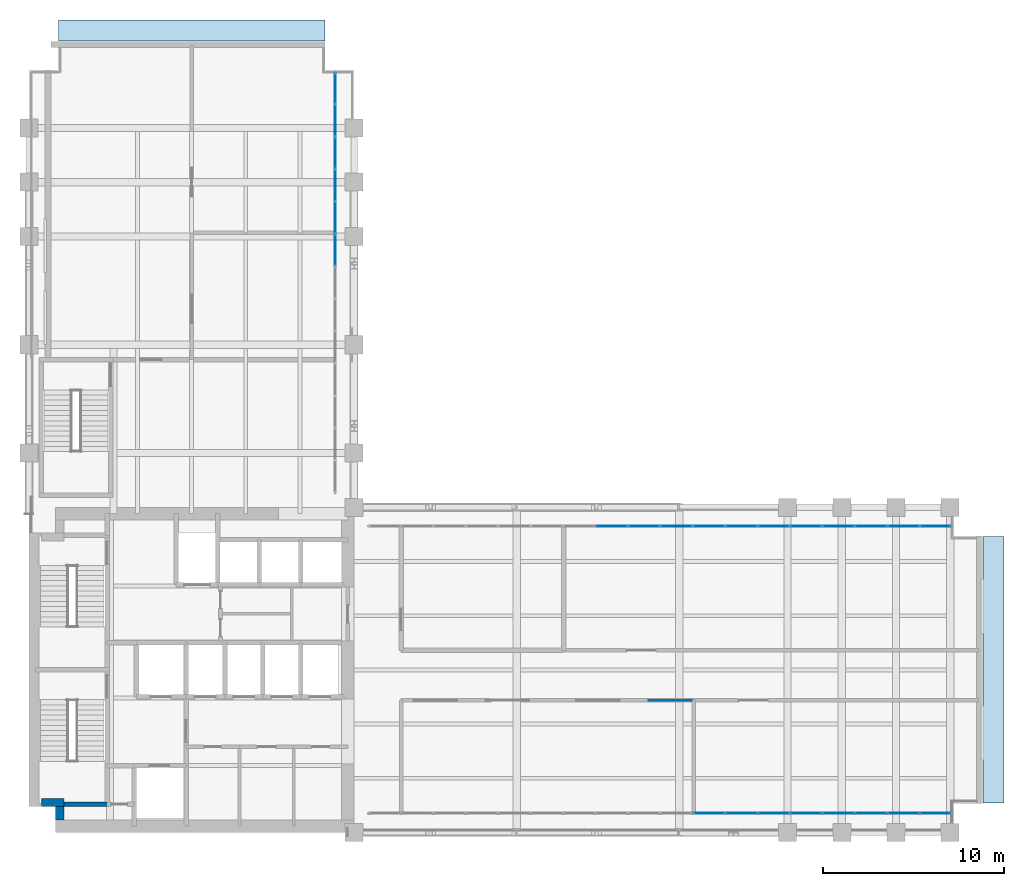
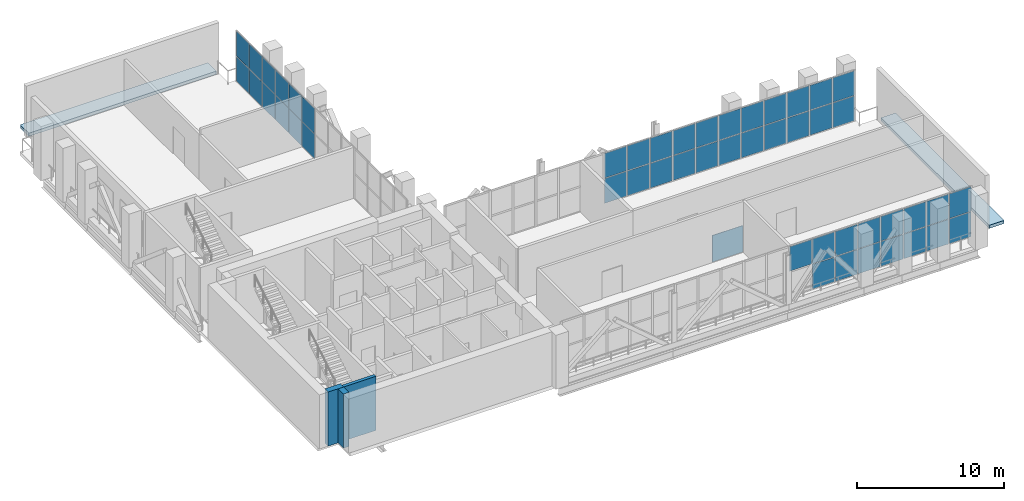
# One storey, part 22 of 27: 50 plates, 3 walls, 2 slabs, 3 elements without a shape of their own.
"""IFC4 building model written with IfcOpenShell, lengths in metres."""

from ifc_helpers import new_model, si_unit, direction, frame, frame_2d, origin, origin_2d, place, context, subcontext, project, spatial, polyline, rectangle, outline, extrude, material, layer, layer_set, type_object, element, aggregate, save


model = new_model("IFC4")

# Units and contexts
model_context = context("Model", 3, precision=1e-05, world=origin(), true_north=direction((0.0, 1.0)))
body_context = subcontext(model_context, "Body", "Model", "MODEL_VIEW")
ifc_project = project(units=[si_unit("LENGTHUNIT", "METRE"), si_unit("AREAUNIT", "SQUARE_METRE"), si_unit("VOLUMEUNIT", "CUBIC_METRE"), si_unit("PLANEANGLEUNIT", "RADIAN"), si_unit("MASSUNIT", "GRAM", prefix="KILO")], contexts=[model_context])

# Site, building, storey
site_placement = place(None, origin())
site = spatial("IfcSite", under=ifc_project, at=site_placement, CompositionType="ELEMENT")
building_placement = place(site_placement, origin())
building = spatial("IfcBuilding", under=site, at=building_placement, Name="Mawjdan Bourse Tower", CompositionType="ELEMENT")
storey_placement = place(building_placement, frame((0.0, 0.0, 155.699951171875)))
storey = spatial("IfcBuildingStorey", under=building, at=storey_placement, Name="L37", CompositionType="ELEMENT", Elevation=155.699951171875)

# Plate
ifc_material_1 = material(Name="Perforated Acoustic Aluminium Sheet", Category="aluminium")
ifc_layer_1 = layer(ifc_material_1, 0.044921875)
ifc_layer_set_1 = layer_set([ifc_layer_1], Name="Perforated Acoustic Aluminium Sheet")
plate_type_1 = type_object("IfcPlateType", Name="PLT-SCR-2400", PredefinedType="SHEET", material=ifc_layer_set_1)
plate_1_placement = place(storey_placement, frame((41.5, 10.300048828125, 0.0), z_axis=(0.0, 0.0, 1.0), x_axis=(1.0, 0.0, 0.0)))
element("IfcPlate", 1, at=plate_1_placement, inside=storey, type_object=plate_type_1, Name="L37 Acoustic Plant Plenum Screen 4", PredefinedType="SHEET", context=body_context, shape_type="SweptSolid", body=[
    extrude(rectangle(XDim=2.39990234375, YDim=0.044921875, at=origin_2d()), origin(), (0.0, 0.0, 1.0), 2.199951171875),
])

# Curtain wall, plates
ifc_material_2 = material(Name="Thermally Broken Aluminium and Solar Glass", Category="aluminium")
ifc_layer_2 = layer(ifc_material_2, 0.219970703125)
ifc_layer_set_2 = layer_set([ifc_layer_2], Name="Thermally Broken Aluminium and Solar Glass")
curtain_wall_type = type_object("IfcCurtainWallType", Name="CW-RFG", PredefinedType="USERDEFINED", material=ifc_layer_set_2)
curtain_wall_1_placement = place(storey_placement, origin())
curtain_wall_1 = element("IfcCurtainWall", 2, at=curtain_wall_1_placement, inside=storey, type_object=curtain_wall_type, Name="L37 Refuge Band South Louvre Curtain Wall", ObjectType="REFUGE BAND LOUVRE SCREEN", PredefinedType="USERDEFINED")
ifc_material_3 = material(Name="Anodised Sand-Trap Aluminium Louvre", Category="aluminium")
ifc_layer_3 = layer(ifc_material_3, 0.050048828125)
ifc_layer_set_3 = layer_set([ifc_layer_3], Name="Anodised Sand-Trap Aluminium Louvre")
plate_type_2 = type_object("IfcPlateType", Name="PNL-CW-RFG", PredefinedType="CURTAIN_PANEL", material=ifc_layer_set_3)
plate_2_placement = place(storey_placement, frame((43.6416015625, 4.050048828125, 2.152587890625), z_axis=(0.0, 0.0, 1.0), x_axis=(1.0, 0.0, 0.0)))
plate_2 = element("IfcPlate", 3, at=plate_2_placement, type_object=plate_type_2, Name="CW-RFG-L37-RFG-S panel 11.2", PredefinedType="CURTAIN_PANEL", context=body_context, shape_type="SweptSolid", body=[
    extrude(rectangle(XDim=1.7294921875, YDim=0.050048828125, at=origin_2d()), origin(), (0.0, 0.0, 1.0), 2.04248046875),
])
plate_3_placement = place(storey_placement, frame((45.43603515625, 4.050048828125, 0.05517578125), z_axis=(0.0, 0.0, 1.0), x_axis=(1.0, 0.0, 0.0)))
plate_3 = element("IfcPlate", 4, at=plate_3_placement, type_object=plate_type_2, Name="CW-RFG-L37-RFG-S panel 12.1", PredefinedType="CURTAIN_PANEL", context=body_context, shape_type="SweptSolid", body=[
    extrude(rectangle(XDim=1.7294921875, YDim=0.050048828125, at=origin_2d()), origin(), (0.0, 0.0, 1.0), 2.04248046875),
])
plate_4_placement = place(storey_placement, frame((45.43603515625, 4.050048828125, 2.152587890625), z_axis=(0.0, 0.0, 1.0), x_axis=(1.0, 0.0, 0.0)))
plate_4 = element("IfcPlate", 5, at=plate_4_placement, type_object=plate_type_2, Name="CW-RFG-L37-RFG-S panel 12.2", PredefinedType="CURTAIN_PANEL", context=body_context, shape_type="SweptSolid", body=[
    extrude(rectangle(XDim=1.7294921875, YDim=0.050048828125, at=origin_2d()), origin(), (0.0, 0.0, 1.0), 2.04248046875),
])
plate_5_placement = place(storey_placement, frame((47.23046875, 4.050048828125, 0.05517578125), z_axis=(0.0, 0.0, 1.0), x_axis=(1.0, 0.0, 0.0)))
plate_5 = element("IfcPlate", 6, at=plate_5_placement, type_object=plate_type_2, Name="CW-RFG-L37-RFG-S panel 13.1", PredefinedType="CURTAIN_PANEL", context=body_context, shape_type="SweptSolid", body=[
    extrude(rectangle(XDim=1.7294921875, YDim=0.050048828125, at=origin_2d()), origin(), (0.0, 0.0, 1.0), 2.04248046875),
])
plate_6_placement = place(storey_placement, frame((47.23046875, 4.050048828125, 2.152587890625), z_axis=(0.0, 0.0, 1.0), x_axis=(1.0, 0.0, 0.0)))
plate_6 = element("IfcPlate", 7, at=plate_6_placement, type_object=plate_type_2, Name="CW-RFG-L37-RFG-S panel 13.2", PredefinedType="CURTAIN_PANEL", context=body_context, shape_type="SweptSolid", body=[
    extrude(rectangle(XDim=1.7294921875, YDim=0.050048828125, at=origin_2d()), origin(), (0.0, 0.0, 1.0), 2.04248046875),
])
plate_7_placement = place(storey_placement, frame((49.02490234375, 4.050048828125, 0.05517578125), z_axis=(0.0, 0.0, 1.0), x_axis=(1.0, 0.0, 0.0)))
plate_7 = element("IfcPlate", 8, at=plate_7_placement, type_object=plate_type_2, Name="CW-RFG-L37-RFG-S panel 14.1", PredefinedType="CURTAIN_PANEL", context=body_context, shape_type="SweptSolid", body=[
    extrude(rectangle(XDim=1.7294921875, YDim=0.050048828125, at=origin_2d()), origin(), (0.0, 0.0, 1.0), 2.04248046875),
])
plate_8_placement = place(storey_placement, frame((49.02490234375, 4.050048828125, 2.152587890625), z_axis=(0.0, 0.0, 1.0), x_axis=(1.0, 0.0, 0.0)))
plate_8 = element("IfcPlate", 9, at=plate_8_placement, type_object=plate_type_2, Name="CW-RFG-L37-RFG-S panel 14.2", PredefinedType="CURTAIN_PANEL", context=body_context, shape_type="SweptSolid", body=[
    extrude(rectangle(XDim=1.7294921875, YDim=0.050048828125, at=origin_2d()), origin(), (0.0, 0.0, 1.0), 2.04248046875),
])
plate_9_placement = place(storey_placement, frame((50.8193359375, 4.050048828125, 0.05517578125), z_axis=(0.0, 0.0, 1.0), x_axis=(1.0, 0.0, 0.0)))
plate_9 = element("IfcPlate", 10, at=plate_9_placement, type_object=plate_type_2, Name="CW-RFG-L37-RFG-S panel 15.1", PredefinedType="CURTAIN_PANEL", context=body_context, shape_type="SweptSolid", body=[
    extrude(rectangle(XDim=1.7294921875, YDim=0.050048828125, at=origin_2d()), origin(), (0.0, 0.0, 1.0), 2.04248046875),
])
plate_10_placement = place(storey_placement, frame((50.8193359375, 4.050048828125, 2.152587890625), z_axis=(0.0, 0.0, 1.0), x_axis=(1.0, 0.0, 0.0)))
plate_10 = element("IfcPlate", 11, at=plate_10_placement, type_object=plate_type_2, Name="CW-RFG-L37-RFG-S panel 15.2", PredefinedType="CURTAIN_PANEL", context=body_context, shape_type="SweptSolid", body=[
    extrude(rectangle(XDim=1.7294921875, YDim=0.050048828125, at=origin_2d()), origin(), (0.0, 0.0, 1.0), 2.04248046875),
])
plate_11_placement = place(storey_placement, frame((52.61376953125, 4.050048828125, 0.05517578125), z_axis=(0.0, 0.0, 1.0), x_axis=(1.0, 0.0, 0.0)))
plate_11 = element("IfcPlate", 12, at=plate_11_placement, type_object=plate_type_2, Name="CW-RFG-L37-RFG-S panel 16.1", PredefinedType="CURTAIN_PANEL", context=body_context, shape_type="SweptSolid", body=[
    extrude(rectangle(XDim=1.7294921875, YDim=0.050048828125, at=origin_2d()), origin(), (0.0, 0.0, 1.0), 2.04248046875),
])
plate_12_placement = place(storey_placement, frame((52.61376953125, 4.050048828125, 2.152587890625), z_axis=(0.0, 0.0, 1.0), x_axis=(1.0, 0.0, 0.0)))
plate_12 = element("IfcPlate", 13, at=plate_12_placement, type_object=plate_type_2, Name="CW-RFG-L37-RFG-S panel 16.2", PredefinedType="CURTAIN_PANEL", context=body_context, shape_type="SweptSolid", body=[
    extrude(rectangle(XDim=1.7294921875, YDim=0.050048828125, at=origin_2d()), origin(), (0.0, 0.0, 1.0), 2.04248046875),
])
plate_13_placement = place(storey_placement, frame((54.408447265625, 4.050048828125, 0.05517578125), z_axis=(0.0, 0.0, 1.0), x_axis=(1.0, 0.0, 0.0)))
plate_13 = element("IfcPlate", 14, at=plate_13_placement, type_object=plate_type_2, Name="CW-RFG-L37-RFG-S panel 17.1", PredefinedType="CURTAIN_PANEL", context=body_context, shape_type="SweptSolid", body=[
    extrude(rectangle(XDim=1.7294921875, YDim=0.050048828125, at=origin_2d()), origin(), (0.0, 0.0, 1.0), 2.04248046875),
])
plate_14_placement = place(storey_placement, frame((54.408447265625, 4.050048828125, 2.152587890625), z_axis=(0.0, 0.0, 1.0), x_axis=(1.0, 0.0, 0.0)))
plate_14 = element("IfcPlate", 15, at=plate_14_placement, type_object=plate_type_2, Name="CW-RFG-L37-RFG-S panel 17.2", PredefinedType="CURTAIN_PANEL", context=body_context, shape_type="SweptSolid", body=[
    extrude(rectangle(XDim=1.7294921875, YDim=0.050048828125, at=origin_2d()), origin(), (0.0, 0.0, 1.0), 2.04248046875),
])
plate_15_placement = place(storey_placement, frame((56.1865234375, 4.050048828125, 0.05517578125), z_axis=(0.0, 0.0, 1.0), x_axis=(1.0, 0.0, 0.0)))
plate_15 = element("IfcPlate", 16, at=plate_15_placement, type_object=plate_type_2, Name="CW-RFG-L37-RFG-S panel 18.1", PredefinedType="CURTAIN_PANEL", context=body_context, shape_type="SweptSolid", body=[
    extrude(rectangle(XDim=1.697021484375, YDim=0.050048828125, at=origin_2d()), origin(), (0.0, 0.0, 1.0), 2.04248046875),
])
plate_16_placement = place(storey_placement, frame((56.1865234375, 4.050048828125, 2.152587890625), z_axis=(0.0, 0.0, 1.0), x_axis=(1.0, 0.0, 0.0)))
plate_16 = element("IfcPlate", 17, at=plate_16_placement, type_object=plate_type_2, Name="CW-RFG-L37-RFG-S panel 18.2", PredefinedType="CURTAIN_PANEL", context=body_context, shape_type="SweptSolid", body=[
    extrude(rectangle(XDim=1.697021484375, YDim=0.050048828125, at=origin_2d()), origin(), (0.0, 0.0, 1.0), 2.04248046875),
])
aggregate(curtain_wall_1, [plate_2, plate_3, plate_4, plate_5, plate_6, plate_7, plate_8, plate_9, plate_10, plate_11, plate_12, plate_13, plate_14, plate_15, plate_16])

curtain_wall_2_placement = place(storey_placement, origin())
curtain_wall_2 = element("IfcCurtainWall", 18, at=curtain_wall_2_placement, inside=storey, type_object=curtain_wall_type, Name="L37 Refuge Band North Louvre Curtain Wall", ObjectType="REFUGE BAND LOUVRE SCREEN", PredefinedType="USERDEFINED")
plate_17_placement = place(storey_placement, frame((56.1865234375, 19.949951171875, 0.05517578125), z_axis=(0.0, 0.0, 1.0), x_axis=(-1.0, 0.0, 0.0)))
plate_17 = element("IfcPlate", 19, at=plate_17_placement, type_object=plate_type_2, Name="CW-RFG-L37-RFG-N panel 1.1", PredefinedType="CURTAIN_PANEL", context=body_context, shape_type="SweptSolid", body=[
    extrude(rectangle(XDim=1.697021484375, YDim=0.050048828125, at=origin_2d()), origin(), (0.0, 0.0, 1.0), 2.04248046875),
])
plate_18_placement = place(storey_placement, frame((56.1865234375, 19.949951171875, 2.152587890625), z_axis=(0.0, 0.0, 1.0), x_axis=(-1.0, 0.0, 0.0)))
plate_18 = element("IfcPlate", 20, at=plate_18_placement, type_object=plate_type_2, Name="CW-RFG-L37-RFG-N panel 1.2", PredefinedType="CURTAIN_PANEL", context=body_context, shape_type="SweptSolid", body=[
    extrude(rectangle(XDim=1.697021484375, YDim=0.050048828125, at=origin_2d()), origin(), (0.0, 0.0, 1.0), 2.04248046875),
])
plate_19_placement = place(storey_placement, frame((54.408447265625, 19.949951171875, 0.05517578125), z_axis=(0.0, 0.0, 1.0), x_axis=(-1.0, 0.0, 0.0)))
plate_19 = element("IfcPlate", 21, at=plate_19_placement, type_object=plate_type_2, Name="CW-RFG-L37-RFG-N panel 2.1", PredefinedType="CURTAIN_PANEL", context=body_context, shape_type="SweptSolid", body=[
    extrude(rectangle(XDim=1.7294921875, YDim=0.050048828125, at=origin_2d()), origin(), (0.0, 0.0, 1.0), 2.04248046875),
])
plate_20_placement = place(storey_placement, frame((54.408447265625, 19.949951171875, 2.152587890625), z_axis=(0.0, 0.0, 1.0), x_axis=(-1.0, 0.0, 0.0)))
plate_20 = element("IfcPlate", 22, at=plate_20_placement, type_object=plate_type_2, Name="CW-RFG-L37-RFG-N panel 2.2", PredefinedType="CURTAIN_PANEL", context=body_context, shape_type="SweptSolid", body=[
    extrude(rectangle(XDim=1.7294921875, YDim=0.050048828125, at=origin_2d()), origin(), (0.0, 0.0, 1.0), 2.04248046875),
])
plate_21_placement = place(storey_placement, frame((52.61376953125, 19.949951171875, 0.05517578125), z_axis=(0.0, 0.0, 1.0), x_axis=(-1.0, 0.0, 0.0)))
plate_21 = element("IfcPlate", 23, at=plate_21_placement, type_object=plate_type_2, Name="CW-RFG-L37-RFG-N panel 3.1", PredefinedType="CURTAIN_PANEL", context=body_context, shape_type="SweptSolid", body=[
    extrude(rectangle(XDim=1.7294921875, YDim=0.050048828125, at=origin_2d()), origin(), (0.0, 0.0, 1.0), 2.04248046875),
])
plate_22_placement = place(storey_placement, frame((52.61376953125, 19.949951171875, 2.152587890625), z_axis=(0.0, 0.0, 1.0), x_axis=(-1.0, 0.0, 0.0)))
plate_22 = element("IfcPlate", 24, at=plate_22_placement, type_object=plate_type_2, Name="CW-RFG-L37-RFG-N panel 3.2", PredefinedType="CURTAIN_PANEL", context=body_context, shape_type="SweptSolid", body=[
    extrude(rectangle(XDim=1.7294921875, YDim=0.050048828125, at=origin_2d()), origin(), (0.0, 0.0, 1.0), 2.04248046875),
])
plate_23_placement = place(storey_placement, frame((50.8193359375, 19.949951171875, 0.05517578125), z_axis=(0.0, 0.0, 1.0), x_axis=(-1.0, 0.0, 0.0)))
plate_23 = element("IfcPlate", 25, at=plate_23_placement, type_object=plate_type_2, Name="CW-RFG-L37-RFG-N panel 4.1", PredefinedType="CURTAIN_PANEL", context=body_context, shape_type="SweptSolid", body=[
    extrude(rectangle(XDim=1.7294921875, YDim=0.050048828125, at=origin_2d()), origin(), (0.0, 0.0, 1.0), 2.04248046875),
])
plate_24_placement = place(storey_placement, frame((50.8193359375, 19.949951171875, 2.152587890625), z_axis=(0.0, 0.0, 1.0), x_axis=(-1.0, 0.0, 0.0)))
plate_24 = element("IfcPlate", 26, at=plate_24_placement, type_object=plate_type_2, Name="CW-RFG-L37-RFG-N panel 4.2", PredefinedType="CURTAIN_PANEL", context=body_context, shape_type="SweptSolid", body=[
    extrude(rectangle(XDim=1.7294921875, YDim=0.050048828125, at=origin_2d()), origin(), (0.0, 0.0, 1.0), 2.04248046875),
])
plate_25_placement = place(storey_placement, frame((49.02490234375, 19.949951171875, 0.05517578125), z_axis=(0.0, 0.0, 1.0), x_axis=(-1.0, 0.0, 0.0)))
plate_25 = element("IfcPlate", 27, at=plate_25_placement, type_object=plate_type_2, Name="CW-RFG-L37-RFG-N panel 5.1", PredefinedType="CURTAIN_PANEL", context=body_context, shape_type="SweptSolid", body=[
    extrude(rectangle(XDim=1.7294921875, YDim=0.050048828125, at=origin_2d()), origin(), (0.0, 0.0, 1.0), 2.04248046875),
])
plate_26_placement = place(storey_placement, frame((49.02490234375, 19.949951171875, 2.152587890625), z_axis=(0.0, 0.0, 1.0), x_axis=(-1.0, 0.0, 0.0)))
plate_26 = element("IfcPlate", 28, at=plate_26_placement, type_object=plate_type_2, Name="CW-RFG-L37-RFG-N panel 5.2", PredefinedType="CURTAIN_PANEL", context=body_context, shape_type="SweptSolid", body=[
    extrude(rectangle(XDim=1.7294921875, YDim=0.050048828125, at=origin_2d()), origin(), (0.0, 0.0, 1.0), 2.04248046875),
])
plate_27_placement = place(storey_placement, frame((47.23046875, 19.949951171875, 0.05517578125), z_axis=(0.0, 0.0, 1.0), x_axis=(-1.0, 0.0, 0.0)))
plate_27 = element("IfcPlate", 29, at=plate_27_placement, type_object=plate_type_2, Name="CW-RFG-L37-RFG-N panel 6.1", PredefinedType="CURTAIN_PANEL", context=body_context, shape_type="SweptSolid", body=[
    extrude(rectangle(XDim=1.7294921875, YDim=0.050048828125, at=origin_2d()), origin(), (0.0, 0.0, 1.0), 2.04248046875),
])
plate_28_placement = place(storey_placement, frame((47.23046875, 19.949951171875, 2.152587890625), z_axis=(0.0, 0.0, 1.0), x_axis=(-1.0, 0.0, 0.0)))
plate_28 = element("IfcPlate", 30, at=plate_28_placement, type_object=plate_type_2, Name="CW-RFG-L37-RFG-N panel 6.2", PredefinedType="CURTAIN_PANEL", context=body_context, shape_type="SweptSolid", body=[
    extrude(rectangle(XDim=1.7294921875, YDim=0.050048828125, at=origin_2d()), origin(), (0.0, 0.0, 1.0), 2.04248046875),
])
plate_29_placement = place(storey_placement, frame((45.43603515625, 19.949951171875, 0.05517578125), z_axis=(0.0, 0.0, 1.0), x_axis=(-1.0, 0.0, 0.0)))
plate_29 = element("IfcPlate", 31, at=plate_29_placement, type_object=plate_type_2, Name="CW-RFG-L37-RFG-N panel 7.1", PredefinedType="CURTAIN_PANEL", context=body_context, shape_type="SweptSolid", body=[
    extrude(rectangle(XDim=1.7294921875, YDim=0.050048828125, at=origin_2d()), origin(), (0.0, 0.0, 1.0), 2.04248046875),
])
plate_30_placement = place(storey_placement, frame((45.43603515625, 19.949951171875, 2.152587890625), z_axis=(0.0, 0.0, 1.0), x_axis=(-1.0, 0.0, 0.0)))
plate_30 = element("IfcPlate", 32, at=plate_30_placement, type_object=plate_type_2, Name="CW-RFG-L37-RFG-N panel 7.2", PredefinedType="CURTAIN_PANEL", context=body_context, shape_type="SweptSolid", body=[
    extrude(rectangle(XDim=1.7294921875, YDim=0.050048828125, at=origin_2d()), origin(), (0.0, 0.0, 1.0), 2.04248046875),
])
plate_31_placement = place(storey_placement, frame((43.6416015625, 19.949951171875, 0.05517578125), z_axis=(0.0, 0.0, 1.0), x_axis=(-1.0, 0.0, 0.0)))
plate_31 = element("IfcPlate", 33, at=plate_31_placement, type_object=plate_type_2, Name="CW-RFG-L37-RFG-N panel 8.1", PredefinedType="CURTAIN_PANEL", context=body_context, shape_type="SweptSolid", body=[
    extrude(rectangle(XDim=1.7294921875, YDim=0.050048828125, at=origin_2d()), origin(), (0.0, 0.0, 1.0), 2.04248046875),
])
plate_32_placement = place(storey_placement, frame((43.6416015625, 19.949951171875, 2.152587890625), z_axis=(0.0, 0.0, 1.0), x_axis=(-1.0, 0.0, 0.0)))
plate_32 = element("IfcPlate", 34, at=plate_32_placement, type_object=plate_type_2, Name="CW-RFG-L37-RFG-N panel 8.2", PredefinedType="CURTAIN_PANEL", context=body_context, shape_type="SweptSolid", body=[
    extrude(rectangle(XDim=1.7294921875, YDim=0.050048828125, at=origin_2d()), origin(), (0.0, 0.0, 1.0), 2.04248046875),
])
plate_33_placement = place(storey_placement, frame((41.84716796875, 19.949951171875, 0.05517578125), z_axis=(0.0, 0.0, 1.0), x_axis=(-1.0, 0.0, 0.0)))
plate_33 = element("IfcPlate", 35, at=plate_33_placement, type_object=plate_type_2, Name="CW-RFG-L37-RFG-N panel 9.1", PredefinedType="CURTAIN_PANEL", context=body_context, shape_type="SweptSolid", body=[
    extrude(rectangle(XDim=1.7294921875, YDim=0.050048828125, at=origin_2d()), origin(), (0.0, 0.0, 1.0), 2.04248046875),
])
plate_34_placement = place(storey_placement, frame((41.84716796875, 19.949951171875, 2.152587890625), z_axis=(0.0, 0.0, 1.0), x_axis=(-1.0, 0.0, 0.0)))
plate_34 = element("IfcPlate", 36, at=plate_34_placement, type_object=plate_type_2, Name="CW-RFG-L37-RFG-N panel 9.2", PredefinedType="CURTAIN_PANEL", context=body_context, shape_type="SweptSolid", body=[
    extrude(rectangle(XDim=1.7294921875, YDim=0.050048828125, at=origin_2d()), origin(), (0.0, 0.0, 1.0), 2.04248046875),
])
plate_35_placement = place(storey_placement, frame((40.052734375, 19.949951171875, 0.05517578125), z_axis=(0.0, 0.0, 1.0), x_axis=(-1.0, 0.0, 0.0)))
plate_35 = element("IfcPlate", 37, at=plate_35_placement, type_object=plate_type_2, Name="CW-RFG-L37-RFG-N panel 10.1", PredefinedType="CURTAIN_PANEL", context=body_context, shape_type="SweptSolid", body=[
    extrude(rectangle(XDim=1.7294921875, YDim=0.050048828125, at=origin_2d()), origin(), (0.0, 0.0, 1.0), 2.04248046875),
])
plate_36_placement = place(storey_placement, frame((40.052734375, 19.949951171875, 2.152587890625), z_axis=(0.0, 0.0, 1.0), x_axis=(-1.0, 0.0, 0.0)))
plate_36 = element("IfcPlate", 38, at=plate_36_placement, type_object=plate_type_2, Name="CW-RFG-L37-RFG-N panel 10.2", PredefinedType="CURTAIN_PANEL", context=body_context, shape_type="SweptSolid", body=[
    extrude(rectangle(XDim=1.7294921875, YDim=0.050048828125, at=origin_2d()), origin(), (0.0, 0.0, 1.0), 2.04248046875),
])
plate_37_placement = place(storey_placement, frame((38.25830078125, 19.949951171875, 0.05517578125), z_axis=(0.0, 0.0, 1.0), x_axis=(-1.0, 0.0, 0.0)))
plate_37 = element("IfcPlate", 39, at=plate_37_placement, type_object=plate_type_2, Name="CW-RFG-L37-RFG-N panel 11.1", PredefinedType="CURTAIN_PANEL", context=body_context, shape_type="SweptSolid", body=[
    extrude(rectangle(XDim=1.7294921875, YDim=0.050048828125, at=origin_2d()), origin(), (0.0, 0.0, 1.0), 2.04248046875),
])
plate_38_placement = place(storey_placement, frame((38.25830078125, 19.949951171875, 2.152587890625), z_axis=(0.0, 0.0, 1.0), x_axis=(-1.0, 0.0, 0.0)))
plate_38 = element("IfcPlate", 40, at=plate_38_placement, type_object=plate_type_2, Name="CW-RFG-L37-RFG-N panel 11.2", PredefinedType="CURTAIN_PANEL", context=body_context, shape_type="SweptSolid", body=[
    extrude(rectangle(XDim=1.7294921875, YDim=0.050048828125, at=origin_2d()), origin(), (0.0, 0.0, 1.0), 2.04248046875),
])
aggregate(curtain_wall_2, [plate_17, plate_18, plate_19, plate_20, plate_21, plate_22, plate_23, plate_24, plate_25, plate_26, plate_27, plate_28, plate_29, plate_30, plate_31, plate_32, plate_33, plate_34, plate_35, plate_36, plate_37, plate_38])

curtain_wall_3_placement = place(storey_placement, origin())
curtain_wall_3 = element("IfcCurtainWall", 41, at=curtain_wall_3_placement, inside=storey, type_object=curtain_wall_type, Name="L37 Refuge Band North-Wing Louvre Curtain Wall", ObjectType="REFUGE BAND LOUVRE SCREEN", PredefinedType="USERDEFINED")
plate_39_placement = place(storey_placement, frame((22.949951171875, 35.2421875, 0.05517578125), z_axis=(0.0, 0.0, 1.0), x_axis=(0.0, 1.0, 0.0)))
plate_39 = element("IfcPlate", 42, at=plate_39_placement, type_object=plate_type_2, Name="CW-RFG-L37-RFG-W panel 8.1", PredefinedType="CURTAIN_PANEL", context=body_context, shape_type="SweptSolid", body=[
    extrude(rectangle(XDim=1.727294921875, YDim=0.050048828125, at=origin_2d()), origin(), (0.0, 0.0, 1.0), 2.04248046875),
])
plate_40_placement = place(storey_placement, frame((22.949951171875, 35.2421875, 2.152587890625), z_axis=(0.0, 0.0, 1.0), x_axis=(0.0, 1.0, 0.0)))
plate_40 = element("IfcPlate", 43, at=plate_40_placement, type_object=plate_type_2, Name="CW-RFG-L37-RFG-W panel 8.2", PredefinedType="CURTAIN_PANEL", context=body_context, shape_type="SweptSolid", body=[
    extrude(rectangle(XDim=1.727294921875, YDim=0.050048828125, at=origin_2d()), origin(), (0.0, 0.0, 1.0), 2.04248046875),
])
plate_41_placement = place(storey_placement, frame((22.949951171875, 37.03466796875, 0.05517578125), z_axis=(0.0, 0.0, 1.0), x_axis=(0.0, 1.0, 0.0)))
plate_41 = element("IfcPlate", 44, at=plate_41_placement, type_object=plate_type_2, Name="CW-RFG-L37-RFG-W panel 9.1", PredefinedType="CURTAIN_PANEL", context=body_context, shape_type="SweptSolid", body=[
    extrude(rectangle(XDim=1.727294921875, YDim=0.050048828125, at=origin_2d()), origin(), (0.0, 0.0, 1.0), 2.04248046875),
])
plate_42_placement = place(storey_placement, frame((22.949951171875, 37.03466796875, 2.152587890625), z_axis=(0.0, 0.0, 1.0), x_axis=(0.0, 1.0, 0.0)))
plate_42 = element("IfcPlate", 45, at=plate_42_placement, type_object=plate_type_2, Name="CW-RFG-L37-RFG-W panel 9.2", PredefinedType="CURTAIN_PANEL", context=body_context, shape_type="SweptSolid", body=[
    extrude(rectangle(XDim=1.727294921875, YDim=0.050048828125, at=origin_2d()), origin(), (0.0, 0.0, 1.0), 2.04248046875),
])
plate_43_placement = place(storey_placement, frame((22.949951171875, 38.826904296875, 0.05517578125), z_axis=(0.0, 0.0, 1.0), x_axis=(0.0, 1.0, 0.0)))
plate_43 = element("IfcPlate", 46, at=plate_43_placement, type_object=plate_type_2, Name="CW-RFG-L37-RFG-W panel 10.1", PredefinedType="CURTAIN_PANEL", context=body_context, shape_type="SweptSolid", body=[
    extrude(rectangle(XDim=1.727294921875, YDim=0.050048828125, at=origin_2d()), origin(), (0.0, 0.0, 1.0), 2.04248046875),
])
plate_44_placement = place(storey_placement, frame((22.949951171875, 38.826904296875, 2.152587890625), z_axis=(0.0, 0.0, 1.0), x_axis=(0.0, 1.0, 0.0)))
plate_44 = element("IfcPlate", 47, at=plate_44_placement, type_object=plate_type_2, Name="CW-RFG-L37-RFG-W panel 10.2", PredefinedType="CURTAIN_PANEL", context=body_context, shape_type="SweptSolid", body=[
    extrude(rectangle(XDim=1.727294921875, YDim=0.050048828125, at=origin_2d()), origin(), (0.0, 0.0, 1.0), 2.04248046875),
])
plate_45_placement = place(storey_placement, frame((22.949951171875, 40.619140625, 0.05517578125), z_axis=(0.0, 0.0, 1.0), x_axis=(0.0, 1.0, 0.0)))
plate_45 = element("IfcPlate", 48, at=plate_45_placement, type_object=plate_type_2, Name="CW-RFG-L37-RFG-W panel 11.1", PredefinedType="CURTAIN_PANEL", context=body_context, shape_type="SweptSolid", body=[
    extrude(rectangle(XDim=1.727294921875, YDim=0.050048828125, at=origin_2d()), origin(), (0.0, 0.0, 1.0), 2.04248046875),
])
plate_46_placement = place(storey_placement, frame((22.949951171875, 40.619140625, 2.152587890625), z_axis=(0.0, 0.0, 1.0), x_axis=(0.0, 1.0, 0.0)))
plate_46 = element("IfcPlate", 49, at=plate_46_placement, type_object=plate_type_2, Name="CW-RFG-L37-RFG-W panel 11.2", PredefinedType="CURTAIN_PANEL", context=body_context, shape_type="SweptSolid", body=[
    extrude(rectangle(XDim=1.727294921875, YDim=0.050048828125, at=origin_2d()), origin(), (0.0, 0.0, 1.0), 2.04248046875),
])
plate_47_placement = place(storey_placement, frame((22.949951171875, 42.41162109375, 0.05517578125), z_axis=(0.0, 0.0, 1.0), x_axis=(0.0, 1.0, 0.0)))
plate_47 = element("IfcPlate", 50, at=plate_47_placement, type_object=plate_type_2, Name="CW-RFG-L37-RFG-W panel 12.1", PredefinedType="CURTAIN_PANEL", context=body_context, shape_type="SweptSolid", body=[
    extrude(rectangle(XDim=1.727294921875, YDim=0.050048828125, at=origin_2d()), origin(), (0.0, 0.0, 1.0), 2.04248046875),
])
plate_48_placement = place(storey_placement, frame((22.949951171875, 42.41162109375, 2.152587890625), z_axis=(0.0, 0.0, 1.0), x_axis=(0.0, 1.0, 0.0)))
plate_48 = element("IfcPlate", 51, at=plate_48_placement, type_object=plate_type_2, Name="CW-RFG-L37-RFG-W panel 12.2", PredefinedType="CURTAIN_PANEL", context=body_context, shape_type="SweptSolid", body=[
    extrude(rectangle(XDim=1.727294921875, YDim=0.050048828125, at=origin_2d()), origin(), (0.0, 0.0, 1.0), 2.04248046875),
])
plate_49_placement = place(storey_placement, frame((22.949951171875, 44.1875, 0.05517578125), z_axis=(0.0, 0.0, 1.0), x_axis=(0.0, 1.0, 0.0)))
plate_49 = element("IfcPlate", 52, at=plate_49_placement, type_object=plate_type_2, Name="CW-RFG-L37-RFG-W panel 13.1", PredefinedType="CURTAIN_PANEL", context=body_context, shape_type="SweptSolid", body=[
    extrude(rectangle(XDim=1.69482421875, YDim=0.050048828125, at=origin_2d()), origin(), (0.0, 0.0, 1.0), 2.04248046875),
])
plate_50_placement = place(storey_placement, frame((22.949951171875, 44.1875, 2.152587890625), z_axis=(0.0, 0.0, 1.0), x_axis=(0.0, 1.0, 0.0)))
plate_50 = element("IfcPlate", 53, at=plate_50_placement, type_object=plate_type_2, Name="CW-RFG-L37-RFG-W panel 13.2", PredefinedType="CURTAIN_PANEL", context=body_context, shape_type="SweptSolid", body=[
    extrude(rectangle(XDim=1.69482421875, YDim=0.050048828125, at=origin_2d()), origin(), (0.0, 0.0, 1.0), 2.04248046875),
])
aggregate(curtain_wall_3, [plate_39, plate_40, plate_41, plate_42, plate_43, plate_44, plate_45, plate_46, plate_47, plate_48, plate_49, plate_50])

# Slabs
ifc_material_4 = material(Name="Concrete C50/60", Category="concrete")
ifc_layer_4 = layer(ifc_material_4, 0.260009765625)
ifc_layer_set_4 = layer_set([ifc_layer_4], Name="Concrete C50/60")
slab_type = type_object("IfcSlabType", Name="SL-ROOF-260", PredefinedType="ROOF", material=ifc_layer_set_4)
slab_1_placement = place(storey_placement, frame((0.0, 0.0, -0.260009765625)))
element("IfcSlab", 54, at=slab_1_placement, inside=storey, type_object=slab_type, Name="L37 Setback Weather Roof 1", PredefinedType="ROOF", context=body_context, shape_type="SweptSolid", body=[
    extrude(outline(polyline([(7.6201171875, 46.830078125), (7.6201171875, 46.827880859375), (7.620361328125, 46.826171875), (7.620849609375, 46.82421875), (7.62158203125, 46.822265625), (7.622314453125, 46.820556640625), (7.623291015625, 46.81884765625), (7.62451171875, 46.8173828125), (7.6259765625, 46.81591796875), (7.627197265625, 46.814453125), (7.62890625, 46.8134765625), (7.630615234375, 46.8125), (7.63232421875, 46.8115234375), (7.63427734375, 46.810791015625), (7.635986328125, 46.810302734375), (7.637939453125, 46.81005859375), (7.639892578125, 46.81005859375), (22.360107421875, 46.81005859375), (22.362060546875, 46.81005859375), (22.364013671875, 46.810302734375), (22.36572265625, 46.810791015625), (22.36767578125, 46.8115234375), (22.369384765625, 46.8125), (22.37109375, 46.8134765625), (22.372802734375, 46.814453125), (22.3740234375, 46.81591796875), (22.37548828125, 46.8173828125), (22.376708984375, 46.81884765625), (22.377685546875, 46.820556640625), (22.37841796875, 46.822265625), (22.379150390625, 46.82421875), (22.379638671875, 46.826171875), (22.3798828125, 46.827880859375), (22.3798828125, 46.830078125), (22.3798828125, 47.9599609375), (22.3798828125, 47.9619140625), (22.379638671875, 47.9638671875), (22.379150390625, 47.9658203125), (22.37841796875, 47.9677734375), (22.377685546875, 47.969482421875), (22.376708984375, 47.97119140625), (22.37548828125, 47.97265625), (22.3740234375, 47.97412109375), (22.372802734375, 47.9755859375), (22.37109375, 47.9765625), (22.369384765625, 47.9775390625), (22.36767578125, 47.978515625), (22.36572265625, 47.97900390625), (22.364013671875, 47.9794921875), (22.362060546875, 47.97998046875), (22.360107421875, 47.97998046875), (7.639892578125, 47.97998046875), (7.637939453125, 47.97998046875), (7.635986328125, 47.9794921875), (7.63427734375, 47.97900390625), (7.63232421875, 47.978515625), (7.630615234375, 47.9775390625), (7.62890625, 47.9765625), (7.627197265625, 47.9755859375), (7.6259765625, 47.97412109375), (7.62451171875, 47.97265625), (7.623291015625, 47.97119140625), (7.622314453125, 47.969482421875), (7.62158203125, 47.9677734375), (7.620849609375, 47.9658203125), (7.620361328125, 47.9638671875), (7.6201171875, 47.9619140625), (7.6201171875, 47.9599609375), (7.6201171875, 46.830078125)])), origin(), (0.0, 0.0, 1.0), 0.260009765625),
])
slab_2_placement = place(storey_placement, frame((0.0, 0.0, -0.260009765625)))
element("IfcSlab", 55, at=slab_2_placement, inside=storey, type_object=slab_type, Name="L37 Setback Weather Roof 2", PredefinedType="ROOF", context=body_context, shape_type="SweptSolid", body=[
    extrude(outline(polyline([(58.830078125, 19.3798828125), (58.827880859375, 19.3798828125), (58.826171875, 19.379638671875), (58.82421875, 19.379150390625), (58.822265625, 19.37841796875), (58.820556640625, 19.377685546875), (58.81884765625, 19.376708984375), (58.8173828125, 19.37548828125), (58.81591796875, 19.3740234375), (58.814453125, 19.372802734375), (58.8134765625, 19.37109375), (58.8125, 19.369384765625), (58.8115234375, 19.36767578125), (58.810791015625, 19.36572265625), (58.810302734375, 19.364013671875), (58.81005859375, 19.362060546875), (58.81005859375, 19.360107421875), (58.81005859375, 4.639892578125), (58.81005859375, 4.637939453125), (58.810302734375, 4.635986328125), (58.810791015625, 4.63427734375), (58.8115234375, 4.63232421875), (58.8125, 4.630615234375), (58.8134765625, 4.62890625), (58.814453125, 4.627197265625), (58.81591796875, 4.6259765625), (58.8173828125, 4.62451171875), (58.81884765625, 4.623291015625), (58.820556640625, 4.622314453125), (58.822265625, 4.62158203125), (58.82421875, 4.620849609375), (58.826171875, 4.620361328125), (58.827880859375, 4.6201171875), (58.830078125, 4.6201171875), (59.9599609375, 4.6201171875), (59.9619140625, 4.6201171875), (59.9638671875, 4.620361328125), (59.9658203125, 4.620849609375), (59.9677734375, 4.62158203125), (59.969482421875, 4.622314453125), (59.97119140625, 4.623291015625), (59.97265625, 4.62451171875), (59.97412109375, 4.6259765625), (59.9755859375, 4.627197265625), (59.9765625, 4.62890625), (59.9775390625, 4.630615234375), (59.978515625, 4.63232421875), (59.97900390625, 4.63427734375), (59.9794921875, 4.635986328125), (59.97998046875, 4.637939453125), (59.97998046875, 4.639892578125), (59.97998046875, 19.360107421875), (59.97998046875, 19.362060546875), (59.9794921875, 19.364013671875), (59.97900390625, 19.36572265625), (59.978515625, 19.36767578125), (59.9775390625, 19.369384765625), (59.9765625, 19.37109375), (59.9755859375, 19.372802734375), (59.97412109375, 19.3740234375), (59.97265625, 19.37548828125), (59.97119140625, 19.376708984375), (59.969482421875, 19.377685546875), (59.9677734375, 19.37841796875), (59.9658203125, 19.379150390625), (59.9638671875, 19.379638671875), (59.9619140625, 19.3798828125), (59.9599609375, 19.3798828125), (58.830078125, 19.3798828125)])), origin(), (0.0, 0.0, 1.0), 0.260009765625),
])

# Walls
ifc_material_5 = material(Name="Concrete C60/75", Category="concrete")
ifc_layer_5 = layer(ifc_material_5, 0.449951171875)
ifc_layer_set_5 = layer_set([ifc_layer_5], Name="Concrete C60/75")
wall_type_1 = type_object("IfcWallType", Name="WL-CORE-450", PredefinedType="SHEAR", material=ifc_layer_set_5)
wall_1_placement = place(storey_placement, frame((6.699951171875, 4.64990234375, 0.0), z_axis=(0.0, 0.0, 1.0), x_axis=(1.0, 0.0, 0.0)))
element("IfcWall", 56, at=wall_1_placement, inside=storey, type_object=wall_type_1, Name="L37 Rear Core Shear Wall SW-X", PredefinedType="SHEAR", context=body_context, shape_type="SweptSolid", body=[
    extrude(rectangle(XDim=1.22509765625, YDim=0.449951171875, at=frame_2d((0.612548828125, 0.0))), origin(), (0.0, 0.0, 1.0), 4.5),
])
wall_2_placement = place(storey_placement, frame((7.699951171875, 3.699951171875, 0.0), z_axis=(0.0, 0.0, 1.0), x_axis=(0.0, 1.0, 0.0)))
element("IfcWall", 57, at=wall_2_placement, inside=storey, type_object=wall_type_1, Name="L37 Rear Core Shear Wall SW-Y", PredefinedType="SHEAR", context=body_context, shape_type="SweptSolid", body=[
    extrude(rectangle(XDim=0.72509765625, YDim=0.449951171875, at=frame_2d((0.362548828125, 0.0))), origin(), (0.0, 0.0, 1.0), 4.5),
])
ifc_layer_6 = layer(ifc_material_4, 0.25)
ifc_layer_set_6 = layer_set([ifc_layer_6], Name="Concrete C50/60")
wall_type_2 = type_object("IfcWallType", Name="WL-STRW-250", PredefinedType="SHEAR", material=ifc_layer_set_6)
wall_3_placement = place(storey_placement, frame((7.699951171875, 4.550048828125, 0.0), z_axis=(0.0, 0.0, 1.0), x_axis=(1.0, 0.0, 0.0)))
element("IfcWall", 58, at=wall_3_placement, inside=storey, type_object=wall_type_2, Name="L37 Stairwell ST1 South Shaft Wall", PredefinedType="SHEAR", context=body_context, shape_type="SweptSolid", body=[
    extrude(rectangle(XDim=2.755126953125, YDim=0.25, at=frame_2d((1.37744140625, 0.0))), origin(), (0.0, 0.0, 1.0), 4.5),
])

save(model, "model.ifc")
